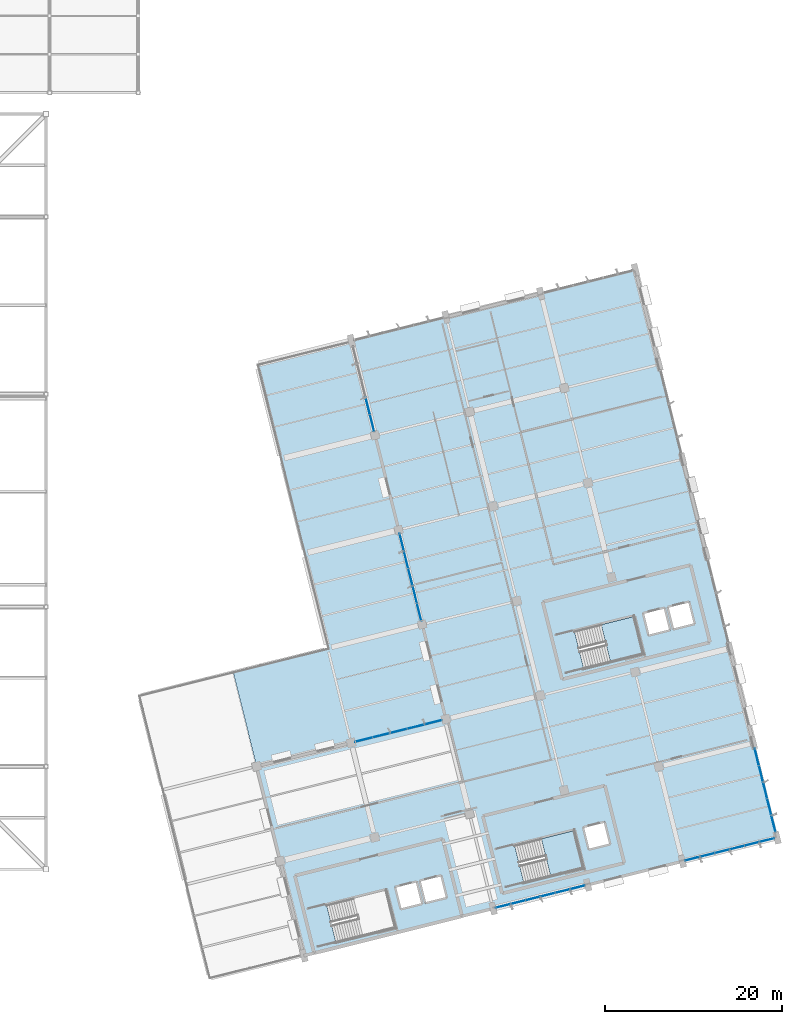
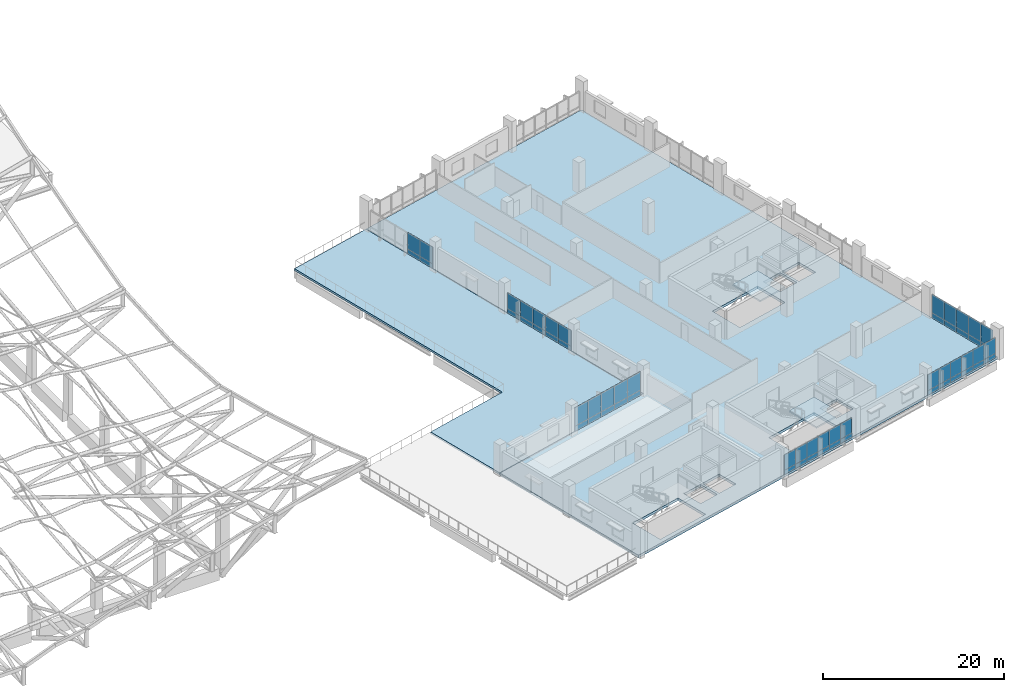
# One storey, part 57 of 75: 58 plates, 4 slabs, 8 elements without a shape of their own.
"""IFC4 building model written with IfcOpenShell, lengths in metres."""

from ifc_helpers import new_model, si_unit, direction, frame, origin, origin_2d, place, context, subcontext, project, spatial, polyline, rectangle, outline, extrude, material, layer, layer_set, type_object, element, aggregate, save


model = new_model("IFC4")

# Units and contexts
model_context = context("Model", 3, precision=1e-05, world=origin(), true_north=direction((0.0, 1.0)))
body_context = subcontext(model_context, "Body", "Model", "MODEL_VIEW")
ifc_project = project(units=[si_unit("LENGTHUNIT", "METRE"), si_unit("AREAUNIT", "SQUARE_METRE"), si_unit("VOLUMEUNIT", "CUBIC_METRE"), si_unit("PLANEANGLEUNIT", "RADIAN"), si_unit("MASSUNIT", "GRAM", prefix="KILO")], contexts=[model_context])

# Site, building, storey
site_placement = place(None, origin())
site = spatial("IfcSite", under=ifc_project, at=site_placement, CompositionType="ELEMENT")
building_placement = place(site_placement, origin())
building = spatial("IfcBuilding", under=site, at=building_placement, Name="Khorjan Park Terminus", CompositionType="ELEMENT")
storey_placement = place(building_placement, frame((0.0, 0.0, 16.2)))
storey = spatial("IfcBuildingStorey", under=building, at=storey_placement, Name="L03", CompositionType="ELEMENT", Elevation=16.2)

# Curtain wall, plates
ifc_material_1 = material(Name="Anodized Bronze Aluminium", Category="aluminium")
ifc_layer_1 = layer(ifc_material_1, 0.22)
ifc_layer_set_1 = layer_set([ifc_layer_1], Name="Anodized Bronze Aluminium")
curtain_wall_type = type_object("IfcCurtainWallType", Name="CW-OPS-B", PredefinedType="NOTDEFINED", material=ifc_layer_set_1)
curtain_wall_1_placement = place(storey_placement, origin())
curtain_wall_1 = element("IfcCurtainWall", 1, at=curtain_wall_1_placement, inside=storey, type_object=curtain_wall_type, Name="Unitized curtain wall CW-B (CW-V5-S-L03-B03)", PredefinedType="NOTDEFINED")
ifc_material_2 = material(Name="Low-E Solar Control Double Glazing", Category="glass")
ifc_layer_2 = layer(ifc_material_2, 0.032)
ifc_layer_set_2 = layer_set([ifc_layer_2], Name="Low-E Solar Control Double Glazing")
plate_type_1 = type_object("IfcPlateType", Name="GL-VIS-32", PredefinedType="CURTAIN_PANEL", material=ifc_layer_set_2)
plate_1_placement = place(storey_placement, frame((199.1762, 10.2718, 0.583), z_axis=(0.0, 0.0, 1.0), x_axis=(0.970294772494, 0.241925720978, 0.0)))
plate_1 = element("IfcPlate", 2, at=plate_1_placement, type_object=plate_type_1, Name="Curtain-wall panel VP-32 (CW-V5-S-L03-B03-0-2)", PredefinedType="CURTAIN_PANEL", context=body_context, shape_type="SweptSolid", body=[
    extrude(rectangle(XDim=1.7233, YDim=0.032, at=origin_2d()), origin(), (0.0, 0.0, 1.0), 2.077),
])
plate_2_placement = place(storey_placement, frame((200.8483, 10.6886, 0.583), z_axis=(0.0, 0.0, 1.0), x_axis=(0.970294772494, 0.241925720978, 0.0)))
plate_2 = element("IfcPlate", 3, at=plate_2_placement, type_object=plate_type_1, Name="Curtain-wall panel VP-32 (CW-V5-S-L03-B03-1-2)", PredefinedType="CURTAIN_PANEL", context=body_context, shape_type="SweptSolid", body=[
    extrude(rectangle(XDim=1.7233, YDim=0.032, at=origin_2d()), origin(), (0.0, 0.0, 1.0), 2.077),
])
plate_3_placement = place(storey_placement, frame((202.5205, 11.1056, 0.583), z_axis=(0.0, 0.0, 1.0), x_axis=(0.970294772494, 0.241925720978, 0.0)))
plate_3 = element("IfcPlate", 4, at=plate_3_placement, type_object=plate_type_1, Name="Curtain-wall panel VP-32 (CW-V5-S-L03-B03-2-2)", PredefinedType="CURTAIN_PANEL", context=body_context, shape_type="SweptSolid", body=[
    extrude(rectangle(XDim=1.7233, YDim=0.032, at=origin_2d()), origin(), (0.0, 0.0, 1.0), 2.077),
])
plate_4_placement = place(storey_placement, frame((204.1926, 11.5225, 0.583), z_axis=(0.0, 0.0, 1.0), x_axis=(0.970294772494, 0.241925720978, 0.0)))
plate_4 = element("IfcPlate", 5, at=plate_4_placement, type_object=plate_type_1, Name="Curtain-wall panel VP-32 (CW-V5-S-L03-B03-3-2)", PredefinedType="CURTAIN_PANEL", context=body_context, shape_type="SweptSolid", body=[
    extrude(rectangle(XDim=1.7233, YDim=0.032, at=origin_2d()), origin(), (0.0, 0.0, 1.0), 2.077),
])
plate_5_placement = place(storey_placement, frame((205.8647, 11.9395, 0.583), z_axis=(0.0, 0.0, 1.0), x_axis=(0.970294772494, 0.241925720978, 0.0)))
plate_5 = element("IfcPlate", 6, at=plate_5_placement, type_object=plate_type_1, Name="Curtain-wall panel VP-32 (CW-V5-S-L03-B03-4-2)", PredefinedType="CURTAIN_PANEL", context=body_context, shape_type="SweptSolid", body=[
    extrude(rectangle(XDim=1.7233, YDim=0.032, at=origin_2d()), origin(), (0.0, 0.0, 1.0), 2.077),
])
plate_6_placement = place(storey_placement, frame((207.5368, 12.3563, 0.583), z_axis=(0.0, 0.0, 1.0), x_axis=(0.970294772494, 0.241925720978, 0.0)))
plate_6 = element("IfcPlate", 7, at=plate_6_placement, type_object=plate_type_1, Name="Curtain-wall panel VP-32 (CW-V5-S-L03-B03-5-2)", PredefinedType="CURTAIN_PANEL", context=body_context, shape_type="SweptSolid", body=[
    extrude(rectangle(XDim=1.7233, YDim=0.032, at=origin_2d()), origin(), (0.0, 0.0, 1.0), 2.077),
])

curtain_wall_2_placement = place(storey_placement, origin())
curtain_wall_2 = element("IfcCurtainWall", 8, at=curtain_wall_2_placement, inside=storey, type_object=curtain_wall_type, Name="Unitized curtain wall CW-B (CW-V5-NW1-L03-B03)", PredefinedType="NOTDEFINED")
plate_7_placement = place(storey_placement, frame((187.7295, 51.2556, 0.597), z_axis=(0.0, 0.0, 1.0), x_axis=(0.241919922282, -0.970296218277, 0.0)))
plate_7 = element("IfcPlate", 9, at=plate_7_placement, type_object=plate_type_1, Name="Curtain-wall panel VP-32 (CW-V5-NW1-L03-B03-0-2)", PredefinedType="CURTAIN_PANEL", context=body_context, shape_type="SweptSolid", body=[
    extrude(rectangle(XDim=2.0179, YDim=0.032, at=origin_2d()), origin(), (0.0, 0.0, 1.0), 2.128),
])
plate_8_placement = place(storey_placement, frame((188.2177, 49.2976, 0.597), z_axis=(0.0, 0.0, 1.0), x_axis=(0.241919922282, -0.970296218277, 0.0)))
plate_8 = element("IfcPlate", 10, at=plate_8_placement, type_object=plate_type_1, Name="Curtain-wall panel VP-32 (CW-V5-NW1-L03-B03-1-2)", PredefinedType="CURTAIN_PANEL", context=body_context, shape_type="SweptSolid", body=[
    extrude(rectangle(XDim=2.0179, YDim=0.032, at=origin_2d()), origin(), (0.0, 0.0, 1.0), 2.128),
])
plate_9_placement = place(storey_placement, frame((188.7058, 47.3396, 0.597), z_axis=(0.0, 0.0, 1.0), x_axis=(0.241919922282, -0.970296218277, 0.0)))
plate_9 = element("IfcPlate", 11, at=plate_9_placement, type_object=plate_type_1, Name="Curtain-wall panel VP-32 (CW-V5-NW1-L03-B03-2-2)", PredefinedType="CURTAIN_PANEL", context=body_context, shape_type="SweptSolid", body=[
    extrude(rectangle(XDim=2.0179, YDim=0.032, at=origin_2d()), origin(), (0.0, 0.0, 1.0), 2.128),
])
plate_10_placement = place(storey_placement, frame((189.194, 45.3816, 0.597), z_axis=(0.0, 0.0, 1.0), x_axis=(0.241919922282, -0.970296218277, 0.0)))
plate_10 = element("IfcPlate", 12, at=plate_10_placement, type_object=plate_type_1, Name="Curtain-wall panel VP-32 (CW-V5-NW1-L03-B03-3-2)", PredefinedType="CURTAIN_PANEL", context=body_context, shape_type="SweptSolid", body=[
    extrude(rectangle(XDim=2.0179, YDim=0.032, at=origin_2d()), origin(), (0.0, 0.0, 1.0), 2.128),
])
plate_11_placement = place(storey_placement, frame((189.6822, 43.4236, 0.597), z_axis=(0.0, 0.0, 1.0), x_axis=(0.241919922282, -0.970296218277, 0.0)))
plate_11 = element("IfcPlate", 13, at=plate_11_placement, type_object=plate_type_1, Name="Curtain-wall panel VP-32 (CW-V5-NW1-L03-B03-4-2)", PredefinedType="CURTAIN_PANEL", context=body_context, shape_type="SweptSolid", body=[
    extrude(rectangle(XDim=2.0179, YDim=0.032, at=origin_2d()), origin(), (0.0, 0.0, 1.0), 2.128),
])

curtain_wall_3_placement = place(storey_placement, origin())
curtain_wall_3 = element("IfcCurtainWall", 14, at=curtain_wall_3_placement, inside=storey, type_object=curtain_wall_type, Name="Unitized curtain wall CW-B (CW-V5-S-L03-B05)", PredefinedType="NOTDEFINED")
ifc_material_3 = material(Name="Acoustic Laminated Solar Glazing", Category="glass")
ifc_layer_3 = layer(ifc_material_3, 0.036)
ifc_layer_set_3 = layer_set([ifc_layer_3], Name="Acoustic Laminated Solar Glazing")
plate_type_2 = type_object("IfcPlateType", Name="GL-VIS-36", PredefinedType="CURTAIN_PANEL", material=ifc_layer_set_3)
plate_12_placement = place(storey_placement, frame((220.5224, 15.5939, 0.602), z_axis=(0.0, 0.0, 1.0), x_axis=(0.970296464407, 0.241918935098, 0.0)))
plate_12 = element("IfcPlate", 15, at=plate_12_placement, type_object=plate_type_2, Name="Curtain-wall panel VP-36 (CW-V5-S-L03-B05-0-2)", PredefinedType="CURTAIN_PANEL", context=body_context, shape_type="SweptSolid", body=[
    extrude(rectangle(XDim=1.7234, YDim=0.036, at=origin_2d()), origin(), (0.0, 0.0, 1.0), 2.143),
])
plate_13_placement = place(storey_placement, frame((222.1946, 16.0109, 0.602), z_axis=(0.0, 0.0, 1.0), x_axis=(0.970296464407, 0.241918935098, 0.0)))
plate_13 = element("IfcPlate", 16, at=plate_13_placement, type_object=plate_type_2, Name="Curtain-wall panel VP-36 (CW-V5-S-L03-B05-1-2)", PredefinedType="CURTAIN_PANEL", context=body_context, shape_type="SweptSolid", body=[
    extrude(rectangle(XDim=1.7234, YDim=0.036, at=origin_2d()), origin(), (0.0, 0.0, 1.0), 2.143),
])
plate_14_placement = place(storey_placement, frame((223.8669, 16.4278, 0.602), z_axis=(0.0, 0.0, 1.0), x_axis=(0.970296464407, 0.241918935098, 0.0)))
plate_14 = element("IfcPlate", 17, at=plate_14_placement, type_object=plate_type_2, Name="Curtain-wall panel VP-36 (CW-V5-S-L03-B05-2-2)", PredefinedType="CURTAIN_PANEL", context=body_context, shape_type="SweptSolid", body=[
    extrude(rectangle(XDim=1.7234, YDim=0.036, at=origin_2d()), origin(), (0.0, 0.0, 1.0), 2.143),
])
plate_15_placement = place(storey_placement, frame((225.5392, 16.8447, 0.602), z_axis=(0.0, 0.0, 1.0), x_axis=(0.970296464407, 0.241918935098, 0.0)))
plate_15 = element("IfcPlate", 18, at=plate_15_placement, type_object=plate_type_2, Name="Curtain-wall panel VP-36 (CW-V5-S-L03-B05-3-2)", PredefinedType="CURTAIN_PANEL", context=body_context, shape_type="SweptSolid", body=[
    extrude(rectangle(XDim=1.7234, YDim=0.036, at=origin_2d()), origin(), (0.0, 0.0, 1.0), 2.143),
])
plate_16_placement = place(storey_placement, frame((227.2115, 17.2617, 0.602), z_axis=(0.0, 0.0, 1.0), x_axis=(0.970296464407, 0.241918935098, 0.0)))
plate_16 = element("IfcPlate", 19, at=plate_16_placement, type_object=plate_type_2, Name="Curtain-wall panel VP-36 (CW-V5-S-L03-B05-4-2)", PredefinedType="CURTAIN_PANEL", context=body_context, shape_type="SweptSolid", body=[
    extrude(rectangle(XDim=1.7234, YDim=0.036, at=origin_2d()), origin(), (0.0, 0.0, 1.0), 2.143),
])
plate_17_placement = place(storey_placement, frame((228.8837, 17.6786, 0.602), z_axis=(0.0, 0.0, 1.0), x_axis=(0.970296464407, 0.241918935098, 0.0)))
plate_17 = element("IfcPlate", 20, at=plate_17_placement, type_object=plate_type_2, Name="Curtain-wall panel VP-36 (CW-V5-S-L03-B05-5-2)", PredefinedType="CURTAIN_PANEL", context=body_context, shape_type="SweptSolid", body=[
    extrude(rectangle(XDim=1.7234, YDim=0.036, at=origin_2d()), origin(), (0.0, 0.0, 1.0), 2.143),
])

curtain_wall_4_placement = place(storey_placement, origin())
curtain_wall_4 = element("IfcCurtainWall", 21, at=curtain_wall_4_placement, inside=storey, type_object=curtain_wall_type, Name="Unitized curtain wall CW-B (CW-V5-E-L03-B01)", PredefinedType="NOTDEFINED")
plate_18_placement = place(storey_placement, frame((229.6418, 19.562, 0.703), z_axis=(0.0, 0.0, 1.0), x_axis=(-0.241920488516, 0.9702960771, 0.0)))
plate_18 = element("IfcPlate", 22, at=plate_18_placement, type_object=plate_type_2, Name="Curtain-wall panel VP-36 (CW-V5-E-L03-B01-0-2)", PredefinedType="CURTAIN_PANEL", context=body_context, shape_type="SweptSolid", body=[
    extrude(rectangle(XDim=1.928, YDim=0.036, at=origin_2d()), origin(), (0.0, 0.0, 1.0), 2.502),
])
plate_19_placement = place(storey_placement, frame((229.1754, 21.4327, 0.703), z_axis=(0.0, 0.0, 1.0), x_axis=(-0.241920488516, 0.9702960771, 0.0)))
plate_19 = element("IfcPlate", 23, at=plate_19_placement, type_object=plate_type_2, Name="Curtain-wall panel VP-36 (CW-V5-E-L03-B01-1-2)", PredefinedType="CURTAIN_PANEL", context=body_context, shape_type="SweptSolid", body=[
    extrude(rectangle(XDim=1.928, YDim=0.036, at=origin_2d()), origin(), (0.0, 0.0, 1.0), 2.502),
])
plate_20_placement = place(storey_placement, frame((228.709, 23.3035, 0.703), z_axis=(0.0, 0.0, 1.0), x_axis=(-0.241920488516, 0.9702960771, 0.0)))
plate_20 = element("IfcPlate", 24, at=plate_20_placement, type_object=plate_type_2, Name="Curtain-wall panel VP-36 (CW-V5-E-L03-B01-2-2)", PredefinedType="CURTAIN_PANEL", context=body_context, shape_type="SweptSolid", body=[
    extrude(rectangle(XDim=1.928, YDim=0.036, at=origin_2d()), origin(), (0.0, 0.0, 1.0), 2.502),
])
plate_21_placement = place(storey_placement, frame((228.2425, 25.1743, 0.703), z_axis=(0.0, 0.0, 1.0), x_axis=(-0.241920488516, 0.9702960771, 0.0)))
plate_21 = element("IfcPlate", 25, at=plate_21_placement, type_object=plate_type_2, Name="Curtain-wall panel VP-36 (CW-V5-E-L03-B01-3-2)", PredefinedType="CURTAIN_PANEL", context=body_context, shape_type="SweptSolid", body=[
    extrude(rectangle(XDim=1.928, YDim=0.036, at=origin_2d()), origin(), (0.0, 0.0, 1.0), 2.502),
])
plate_22_placement = place(storey_placement, frame((227.7761, 27.045, 0.703), z_axis=(0.0, 0.0, 1.0), x_axis=(-0.241920488516, 0.9702960771, 0.0)))
plate_22 = element("IfcPlate", 26, at=plate_22_placement, type_object=plate_type_2, Name="Curtain-wall panel VP-36 (CW-V5-E-L03-B01-4-2)", PredefinedType="CURTAIN_PANEL", context=body_context, shape_type="SweptSolid", body=[
    extrude(rectangle(XDim=1.928, YDim=0.036, at=origin_2d()), origin(), (0.0, 0.0, 1.0), 2.502),
])

curtain_wall_5_placement = place(storey_placement, origin())
curtain_wall_5 = element("IfcCurtainWall", 27, at=curtain_wall_5_placement, inside=storey, type_object=curtain_wall_type, Name="Unitized curtain wall CW-B (CW-V5-NW1-L03-B01)", PredefinedType="NOTDEFINED")
plate_23_placement = place(storey_placement, frame((183.8879, 66.663, 0.63), z_axis=(0.0, 0.0, 1.0), x_axis=(0.241922578481, -0.970295556014, 0.0)))
plate_23 = element("IfcPlate", 28, at=plate_23_placement, type_object=plate_type_2, Name="Curtain-wall panel VP-36 (CW-V5-NW1-L03-B01-3-2)", PredefinedType="CURTAIN_PANEL", context=body_context, shape_type="SweptSolid", body=[
    extrude(rectangle(XDim=1.9729, YDim=0.036, at=origin_2d()), origin(), (0.0, 0.0, 1.0), 2.245),
])
plate_24_placement = place(storey_placement, frame((184.3653, 64.7486, 0.63), z_axis=(0.0, 0.0, 1.0), x_axis=(0.241922578481, -0.970295556014, 0.0)))
plate_24 = element("IfcPlate", 29, at=plate_24_placement, type_object=plate_type_2, Name="Curtain-wall panel VP-36 (CW-V5-NW1-L03-B01-4-2)", PredefinedType="CURTAIN_PANEL", context=body_context, shape_type="SweptSolid", body=[
    extrude(rectangle(XDim=1.9729, YDim=0.036, at=origin_2d()), origin(), (0.0, 0.0, 1.0), 2.245),
])

curtain_wall_6_placement = place(storey_placement, origin())
curtain_wall_6 = element("IfcCurtainWall", 30, at=curtain_wall_6_placement, inside=storey, type_object=curtain_wall_type, Name="Unitized curtain wall CW-B (CW-V5-NW2-L03-B01)", PredefinedType="NOTDEFINED")
plate_25_placement = place(storey_placement, frame((191.2571, 30.9708, 0.703), z_axis=(0.0, 0.0, 1.0), x_axis=(-0.970296398227, -0.241919200535, 0.0)))
plate_25 = element("IfcPlate", 31, at=plate_25_placement, type_object=plate_type_2, Name="Curtain-wall panel VP-36 (CW-V5-NW2-L03-B01-0-2)", PredefinedType="CURTAIN_PANEL", context=body_context, shape_type="SweptSolid", body=[
    extrude(rectangle(XDim=2.0079, YDim=0.036, at=origin_2d()), origin(), (0.0, 0.0, 1.0), 2.502),
])
plate_26_placement = place(storey_placement, frame((189.3089, 30.4851, 0.703), z_axis=(0.0, 0.0, 1.0), x_axis=(-0.970296398227, -0.241919200535, 0.0)))
plate_26 = element("IfcPlate", 32, at=plate_26_placement, type_object=plate_type_2, Name="Curtain-wall panel VP-36 (CW-V5-NW2-L03-B01-1-2)", PredefinedType="CURTAIN_PANEL", context=body_context, shape_type="SweptSolid", body=[
    extrude(rectangle(XDim=2.0079, YDim=0.036, at=origin_2d()), origin(), (0.0, 0.0, 1.0), 2.502),
])
plate_27_placement = place(storey_placement, frame((187.3605, 29.9993, 0.703), z_axis=(0.0, 0.0, 1.0), x_axis=(-0.970296398227, -0.241919200535, 0.0)))
plate_27 = element("IfcPlate", 33, at=plate_27_placement, type_object=plate_type_2, Name="Curtain-wall panel VP-36 (CW-V5-NW2-L03-B01-2-2)", PredefinedType="CURTAIN_PANEL", context=body_context, shape_type="SweptSolid", body=[
    extrude(rectangle(XDim=2.0079, YDim=0.036, at=origin_2d()), origin(), (0.0, 0.0, 1.0), 2.502),
])
plate_28_placement = place(storey_placement, frame((185.4123, 29.5136, 0.703), z_axis=(0.0, 0.0, 1.0), x_axis=(-0.970296398227, -0.241919200535, 0.0)))
plate_28 = element("IfcPlate", 34, at=plate_28_placement, type_object=plate_type_2, Name="Curtain-wall panel VP-36 (CW-V5-NW2-L03-B01-3-2)", PredefinedType="CURTAIN_PANEL", context=body_context, shape_type="SweptSolid", body=[
    extrude(rectangle(XDim=2.0079, YDim=0.036, at=origin_2d()), origin(), (0.0, 0.0, 1.0), 2.502),
])
plate_29_placement = place(storey_placement, frame((183.464, 29.0278, 0.703), z_axis=(0.0, 0.0, 1.0), x_axis=(-0.970296398227, -0.241919200535, 0.0)))
plate_29 = element("IfcPlate", 35, at=plate_29_placement, type_object=plate_type_2, Name="Curtain-wall panel VP-36 (CW-V5-NW2-L03-B01-4-2)", PredefinedType="CURTAIN_PANEL", context=body_context, shape_type="SweptSolid", body=[
    extrude(rectangle(XDim=2.0079, YDim=0.036, at=origin_2d()), origin(), (0.0, 0.0, 1.0), 2.502),
])

# Slab
ifc_material_4 = material(Name="Concrete C40/50", Category="concrete")
ifc_layer_4 = layer(ifc_material_4, 0.35)
ifc_layer_set_4 = layer_set([ifc_layer_4], Name="Concrete C40/50")
slab_type_1 = type_object("IfcSlabType", Name="SL-FLR-350", PredefinedType="FLOOR", material=ifc_layer_set_4)
slab_1_placement = place(storey_placement, frame((0.0, 0.0, -0.35)))
element("IfcSlab", 36, at=slab_1_placement, inside=storey, type_object=slab_type_1, Name="Structural floor slab FS-35 (L03-V5-IN)", PredefinedType="FLOOR", context=body_context, shape_type="SweptSolid", body=[
    extrude(outline(polyline([(171.351, 26.0076), (192.6975, 31.3299), (182.0529, 74.0229), (214.0727, 82.0064), (230.0395, 17.9668), (176.6733, 4.6611), (171.351, 26.0076)]), holes=[polyline([(185.9646, 12.038), (179.2453, 10.3627), (180.3001, 6.1322), (187.0194, 7.8075), (185.9646, 12.038)]), polyline([(189.4141, 13.0423), (186.9495, 12.4279), (187.5882, 9.8663), (190.0528, 10.4808), (189.4141, 13.0423)]), polyline([(192.1891, 13.7342), (189.7246, 13.1198), (190.3633, 10.5582), (192.8278, 11.1727), (192.1891, 13.7342)]), polyline([(207.1665, 18.7671), (200.4472, 17.0918), (201.502, 12.8613), (208.2213, 14.5366), (207.1665, 18.7671)]), polyline([(210.616, 19.7714), (208.1514, 19.157), (208.7901, 16.5954), (211.2547, 17.2099), (210.616, 19.7714)]), polyline([(213.9243, 42.9194), (207.205, 41.2441), (208.2598, 37.0136), (214.9791, 38.6889), (213.9243, 42.9194)]), polyline([(217.3738, 43.9237), (214.9092, 43.3093), (215.5479, 40.7477), (218.0125, 41.3622), (217.3738, 43.9237)]), polyline([(220.1488, 44.6156), (217.6843, 44.0012), (218.323, 41.4396), (220.7875, 42.0541), (220.1488, 44.6156)])]), origin(), (0.0, 0.0, 1.0), 0.35),
])

# Stair, slab
stair_type = type_object("IfcStairType", Name="STR-CORE-200", PredefinedType="HALF_TURN_STAIR", material=ifc_material_4)
stair_1_placement = place(storey_placement, origin())
stair_1 = element("IfcStair", 37, at=stair_1_placement, inside=storey, type_object=stair_type, Name="L03 Operations North-East Firefighting Core exit stair ST-04", PredefinedType="HALF_TURN_STAIR")
ifc_layer_5 = layer(ifc_material_4, 0.2)
ifc_layer_set_5 = layer_set([ifc_layer_5], Name="Concrete C40/50")
slab_type_2 = type_object("IfcSlabType", Name="SL-LND-200", PredefinedType="LANDING", material=ifc_layer_set_5)
slab_2_placement = place(storey_placement, frame((0.0, 0.0, 1.9)))
slab_2 = element("IfcSlab", 38, at=slab_2_placement, type_object=slab_type_2, Name="ST-04 landing 1", PredefinedType="LANDING", context=body_context, shape_type="SweptSolid", body=[
    extrude(outline(polyline([(211.2725, 37.7648), (214.9791, 38.6889), (213.9243, 42.9194), (210.2178, 41.9952), (211.2725, 37.7648)])), origin(), (0.0, 0.0, 1.0), 0.2),
])
aggregate(stair_1, [slab_2])

stair_2_placement = place(storey_placement, origin())
stair_2 = element("IfcStair", 39, at=stair_2_placement, inside=storey, type_object=stair_type, Name="L03 Operations Central Command Core exit stair ST-05", PredefinedType="HALF_TURN_STAIR")
slab_3_placement = place(storey_placement, frame((0.0, 0.0, 1.9)))
slab_3 = element("IfcSlab", 40, at=slab_3_placement, type_object=slab_type_2, Name="ST-05 landing 1", PredefinedType="LANDING", context=body_context, shape_type="SweptSolid", body=[
    extrude(outline(polyline([(204.5147, 13.6125), (208.2213, 14.5366), (207.1665, 18.7671), (203.46, 17.8429), (204.5147, 13.6125)])), origin(), (0.0, 0.0, 1.0), 0.2),
])
aggregate(stair_2, [slab_3])

# Slab
ifc_layer_6 = layer(ifc_material_4, 0.27)
ifc_layer_set_6 = layer_set([ifc_layer_6], Name="Concrete C40/50")
slab_type_3 = type_object("IfcSlabType", Name="SL-TER-270", PredefinedType="ROOF", material=ifc_layer_set_6)
slab_4_placement = place(storey_placement, frame((0.0, 0.0, -0.27)))
element("IfcSlab", 41, at=slab_4_placement, inside=storey, type_object=slab_type_3, Name="External terrace slab TS-27 (L03-TER-NW)", PredefinedType="ROOF", context=body_context, shape_type="SweptSolid", body=[
    extrude(outline(polyline([(171.3413, 26.0465), (192.649, 31.3591), (182.0141, 74.0133), (171.3797, 71.3618), (179.3631, 39.342), (168.6898, 36.6809), (171.3413, 26.0465)])), origin(), (0.0, 0.0, 1.0), 0.27),
])

# Plate
ifc_material_5 = material(Name="Insulated Bronze-Composite Spandrel Panel")
ifc_layer_7 = layer(ifc_material_5, 0.055)
ifc_layer_set_7 = layer_set([ifc_layer_7], Name="Insulated Bronze-Composite Spandrel Panel")
plate_type_3 = type_object("IfcPlateType", Name="SP-AL-55", PredefinedType="CURTAIN_PANEL", material=ifc_layer_set_7)
plate_30_placement = place(storey_placement, frame((199.1762, 10.2718, -0.01), z_axis=(0.0, 0.0, 1.0), x_axis=(0.970294772494, 0.241925720978, 0.0)))
plate_30 = element("IfcPlate", 42, at=plate_30_placement, type_object=plate_type_3, Name="Curtain-wall panel SP-A55 (CW-V5-S-L03-B03-0-1)", PredefinedType="CURTAIN_PANEL", context=body_context, shape_type="SweptSolid", body=[
    extrude(rectangle(XDim=1.7233, YDim=0.055, at=origin_2d()), origin(), (0.0, 0.0, 1.0), 0.593),
])

plate_31_placement = place(storey_placement, frame((200.8483, 10.6886, -0.01), z_axis=(0.0, 0.0, 1.0), x_axis=(0.970294772494, 0.241925720978, 0.0)))
plate_31 = element("IfcPlate", 43, at=plate_31_placement, type_object=plate_type_3, Name="Curtain-wall panel SP-A55 (CW-V5-S-L03-B03-1-1)", PredefinedType="CURTAIN_PANEL", context=body_context, shape_type="SweptSolid", body=[
    extrude(rectangle(XDim=1.7233, YDim=0.055, at=origin_2d()), origin(), (0.0, 0.0, 1.0), 0.593),
])

plate_32_placement = place(storey_placement, frame((202.5205, 11.1056, -0.01), z_axis=(0.0, 0.0, 1.0), x_axis=(0.970294772494, 0.241925720978, 0.0)))
plate_32 = element("IfcPlate", 44, at=plate_32_placement, type_object=plate_type_3, Name="Curtain-wall panel SP-A55 (CW-V5-S-L03-B03-2-1)", PredefinedType="CURTAIN_PANEL", context=body_context, shape_type="SweptSolid", body=[
    extrude(rectangle(XDim=1.7233, YDim=0.055, at=origin_2d()), origin(), (0.0, 0.0, 1.0), 0.593),
])

plate_33_placement = place(storey_placement, frame((204.1926, 11.5225, -0.01), z_axis=(0.0, 0.0, 1.0), x_axis=(0.970294772494, 0.241925720978, 0.0)))
plate_33 = element("IfcPlate", 45, at=plate_33_placement, type_object=plate_type_3, Name="Curtain-wall panel SP-A55 (CW-V5-S-L03-B03-3-1)", PredefinedType="CURTAIN_PANEL", context=body_context, shape_type="SweptSolid", body=[
    extrude(rectangle(XDim=1.7233, YDim=0.055, at=origin_2d()), origin(), (0.0, 0.0, 1.0), 0.593),
])

plate_34_placement = place(storey_placement, frame((205.8647, 11.9395, -0.01), z_axis=(0.0, 0.0, 1.0), x_axis=(0.970294772494, 0.241925720978, 0.0)))
plate_34 = element("IfcPlate", 46, at=plate_34_placement, type_object=plate_type_3, Name="Curtain-wall panel SP-A55 (CW-V5-S-L03-B03-4-1)", PredefinedType="CURTAIN_PANEL", context=body_context, shape_type="SweptSolid", body=[
    extrude(rectangle(XDim=1.7233, YDim=0.055, at=origin_2d()), origin(), (0.0, 0.0, 1.0), 0.593),
])

plate_35_placement = place(storey_placement, frame((207.5368, 12.3563, -0.01), z_axis=(0.0, 0.0, 1.0), x_axis=(0.970294772494, 0.241925720978, 0.0)))
plate_35 = element("IfcPlate", 47, at=plate_35_placement, type_object=plate_type_3, Name="Curtain-wall panel SP-A55 (CW-V5-S-L03-B03-5-1)", PredefinedType="CURTAIN_PANEL", context=body_context, shape_type="SweptSolid", body=[
    extrude(rectangle(XDim=1.7233, YDim=0.055, at=origin_2d()), origin(), (0.0, 0.0, 1.0), 0.593),
])

aggregate(curtain_wall_1, [plate_30, plate_1, plate_31, plate_2, plate_32, plate_3, plate_33, plate_4, plate_34, plate_5, plate_35, plate_6])

plate_36_placement = place(storey_placement, frame((220.5224, 15.5939, -0.01), z_axis=(0.0, 0.0, 1.0), x_axis=(0.970296464407, 0.241918935098, 0.0)))
plate_36 = element("IfcPlate", 48, at=plate_36_placement, type_object=plate_type_3, Name="Curtain-wall panel SP-A55 (CW-V5-S-L03-B05-0-1)", PredefinedType="CURTAIN_PANEL", context=body_context, shape_type="SweptSolid", body=[
    extrude(rectangle(XDim=1.7234, YDim=0.055, at=origin_2d()), origin(), (0.0, 0.0, 1.0), 0.612),
])

plate_37_placement = place(storey_placement, frame((222.1946, 16.0109, -0.01), z_axis=(0.0, 0.0, 1.0), x_axis=(0.970296464407, 0.241918935098, 0.0)))
plate_37 = element("IfcPlate", 49, at=plate_37_placement, type_object=plate_type_3, Name="Curtain-wall panel SP-A55 (CW-V5-S-L03-B05-1-1)", PredefinedType="CURTAIN_PANEL", context=body_context, shape_type="SweptSolid", body=[
    extrude(rectangle(XDim=1.7234, YDim=0.055, at=origin_2d()), origin(), (0.0, 0.0, 1.0), 0.612),
])

plate_38_placement = place(storey_placement, frame((223.8669, 16.4278, -0.01), z_axis=(0.0, 0.0, 1.0), x_axis=(0.970296464407, 0.241918935098, 0.0)))
plate_38 = element("IfcPlate", 50, at=plate_38_placement, type_object=plate_type_3, Name="Curtain-wall panel SP-A55 (CW-V5-S-L03-B05-2-1)", PredefinedType="CURTAIN_PANEL", context=body_context, shape_type="SweptSolid", body=[
    extrude(rectangle(XDim=1.7234, YDim=0.055, at=origin_2d()), origin(), (0.0, 0.0, 1.0), 0.612),
])

plate_39_placement = place(storey_placement, frame((225.5392, 16.8447, -0.01), z_axis=(0.0, 0.0, 1.0), x_axis=(0.970296464407, 0.241918935098, 0.0)))
plate_39 = element("IfcPlate", 51, at=plate_39_placement, type_object=plate_type_3, Name="Curtain-wall panel SP-A55 (CW-V5-S-L03-B05-3-1)", PredefinedType="CURTAIN_PANEL", context=body_context, shape_type="SweptSolid", body=[
    extrude(rectangle(XDim=1.7234, YDim=0.055, at=origin_2d()), origin(), (0.0, 0.0, 1.0), 0.612),
])

plate_40_placement = place(storey_placement, frame((227.2115, 17.2617, -0.01), z_axis=(0.0, 0.0, 1.0), x_axis=(0.970296464407, 0.241918935098, 0.0)))
plate_40 = element("IfcPlate", 52, at=plate_40_placement, type_object=plate_type_3, Name="Curtain-wall panel SP-A55 (CW-V5-S-L03-B05-4-1)", PredefinedType="CURTAIN_PANEL", context=body_context, shape_type="SweptSolid", body=[
    extrude(rectangle(XDim=1.7234, YDim=0.055, at=origin_2d()), origin(), (0.0, 0.0, 1.0), 0.612),
])

plate_41_placement = place(storey_placement, frame((228.8837, 17.6786, -0.01), z_axis=(0.0, 0.0, 1.0), x_axis=(0.970296464407, 0.241918935098, 0.0)))
plate_41 = element("IfcPlate", 53, at=plate_41_placement, type_object=plate_type_3, Name="Curtain-wall panel SP-A55 (CW-V5-S-L03-B05-5-1)", PredefinedType="CURTAIN_PANEL", context=body_context, shape_type="SweptSolid", body=[
    extrude(rectangle(XDim=1.7234, YDim=0.055, at=origin_2d()), origin(), (0.0, 0.0, 1.0), 0.612),
])

aggregate(curtain_wall_3, [plate_36, plate_12, plate_37, plate_13, plate_38, plate_14, plate_39, plate_15, plate_40, plate_16, plate_41, plate_17])

plate_42_placement = place(storey_placement, frame((229.6418, 19.562, -0.01), z_axis=(0.0, 0.0, 1.0), x_axis=(-0.241920488516, 0.9702960771, 0.0)))
plate_42 = element("IfcPlate", 54, at=plate_42_placement, type_object=plate_type_3, Name="Curtain-wall panel SP-A55 (CW-V5-E-L03-B01-0-1)", PredefinedType="CURTAIN_PANEL", context=body_context, shape_type="SweptSolid", body=[
    extrude(rectangle(XDim=1.928, YDim=0.055, at=origin_2d()), origin(), (0.0, 0.0, 1.0), 0.713),
])

plate_43_placement = place(storey_placement, frame((229.1754, 21.4327, -0.01), z_axis=(0.0, 0.0, 1.0), x_axis=(-0.241920488516, 0.9702960771, 0.0)))
plate_43 = element("IfcPlate", 55, at=plate_43_placement, type_object=plate_type_3, Name="Curtain-wall panel SP-A55 (CW-V5-E-L03-B01-1-1)", PredefinedType="CURTAIN_PANEL", context=body_context, shape_type="SweptSolid", body=[
    extrude(rectangle(XDim=1.928, YDim=0.055, at=origin_2d()), origin(), (0.0, 0.0, 1.0), 0.713),
])

plate_44_placement = place(storey_placement, frame((228.709, 23.3035, -0.01), z_axis=(0.0, 0.0, 1.0), x_axis=(-0.241920488516, 0.9702960771, 0.0)))
plate_44 = element("IfcPlate", 56, at=plate_44_placement, type_object=plate_type_3, Name="Curtain-wall panel SP-A55 (CW-V5-E-L03-B01-2-1)", PredefinedType="CURTAIN_PANEL", context=body_context, shape_type="SweptSolid", body=[
    extrude(rectangle(XDim=1.928, YDim=0.055, at=origin_2d()), origin(), (0.0, 0.0, 1.0), 0.713),
])

plate_45_placement = place(storey_placement, frame((228.2425, 25.1743, -0.01), z_axis=(0.0, 0.0, 1.0), x_axis=(-0.241920488516, 0.9702960771, 0.0)))
plate_45 = element("IfcPlate", 57, at=plate_45_placement, type_object=plate_type_3, Name="Curtain-wall panel SP-A55 (CW-V5-E-L03-B01-3-1)", PredefinedType="CURTAIN_PANEL", context=body_context, shape_type="SweptSolid", body=[
    extrude(rectangle(XDim=1.928, YDim=0.055, at=origin_2d()), origin(), (0.0, 0.0, 1.0), 0.713),
])

plate_46_placement = place(storey_placement, frame((227.7761, 27.045, -0.01), z_axis=(0.0, 0.0, 1.0), x_axis=(-0.241920488516, 0.9702960771, 0.0)))
plate_46 = element("IfcPlate", 58, at=plate_46_placement, type_object=plate_type_3, Name="Curtain-wall panel SP-A55 (CW-V5-E-L03-B01-4-1)", PredefinedType="CURTAIN_PANEL", context=body_context, shape_type="SweptSolid", body=[
    extrude(rectangle(XDim=1.928, YDim=0.055, at=origin_2d()), origin(), (0.0, 0.0, 1.0), 0.713),
])

aggregate(curtain_wall_4, [plate_42, plate_18, plate_43, plate_19, plate_44, plate_20, plate_45, plate_21, plate_46, plate_22])

plate_47_placement = place(storey_placement, frame((183.8879, 66.663, -0.01), z_axis=(0.0, 0.0, 1.0), x_axis=(0.241922578481, -0.970295556014, 0.0)))
plate_47 = element("IfcPlate", 59, at=plate_47_placement, type_object=plate_type_3, Name="Curtain-wall panel SP-A55 (CW-V5-NW1-L03-B01-3-1)", PredefinedType="CURTAIN_PANEL", context=body_context, shape_type="SweptSolid", body=[
    extrude(rectangle(XDim=1.9729, YDim=0.055, at=origin_2d()), origin(), (0.0, 0.0, 1.0), 0.64),
])

plate_48_placement = place(storey_placement, frame((184.3653, 64.7486, -0.01), z_axis=(0.0, 0.0, 1.0), x_axis=(0.241922578481, -0.970295556014, 0.0)))
plate_48 = element("IfcPlate", 60, at=plate_48_placement, type_object=plate_type_3, Name="Curtain-wall panel SP-A55 (CW-V5-NW1-L03-B01-4-1)", PredefinedType="CURTAIN_PANEL", context=body_context, shape_type="SweptSolid", body=[
    extrude(rectangle(XDim=1.9729, YDim=0.055, at=origin_2d()), origin(), (0.0, 0.0, 1.0), 0.64),
])

aggregate(curtain_wall_5, [plate_47, plate_23, plate_48, plate_24])

plate_49_placement = place(storey_placement, frame((187.7295, 51.2556, -0.01), z_axis=(0.0, 0.0, 1.0), x_axis=(0.241919922282, -0.970296218277, 0.0)))
plate_49 = element("IfcPlate", 61, at=plate_49_placement, type_object=plate_type_3, Name="Curtain-wall panel SP-A55 (CW-V5-NW1-L03-B03-0-1)", PredefinedType="CURTAIN_PANEL", context=body_context, shape_type="SweptSolid", body=[
    extrude(rectangle(XDim=2.0179, YDim=0.055, at=origin_2d()), origin(), (0.0, 0.0, 1.0), 0.607),
])

plate_50_placement = place(storey_placement, frame((188.2177, 49.2976, -0.01), z_axis=(0.0, 0.0, 1.0), x_axis=(0.241919922282, -0.970296218277, 0.0)))
plate_50 = element("IfcPlate", 62, at=plate_50_placement, type_object=plate_type_3, Name="Curtain-wall panel SP-A55 (CW-V5-NW1-L03-B03-1-1)", PredefinedType="CURTAIN_PANEL", context=body_context, shape_type="SweptSolid", body=[
    extrude(rectangle(XDim=2.0179, YDim=0.055, at=origin_2d()), origin(), (0.0, 0.0, 1.0), 0.607),
])

plate_51_placement = place(storey_placement, frame((188.7058, 47.3396, -0.01), z_axis=(0.0, 0.0, 1.0), x_axis=(0.241919922282, -0.970296218277, 0.0)))
plate_51 = element("IfcPlate", 63, at=plate_51_placement, type_object=plate_type_3, Name="Curtain-wall panel SP-A55 (CW-V5-NW1-L03-B03-2-1)", PredefinedType="CURTAIN_PANEL", context=body_context, shape_type="SweptSolid", body=[
    extrude(rectangle(XDim=2.0179, YDim=0.055, at=origin_2d()), origin(), (0.0, 0.0, 1.0), 0.607),
])

plate_52_placement = place(storey_placement, frame((189.194, 45.3816, -0.01), z_axis=(0.0, 0.0, 1.0), x_axis=(0.241919922282, -0.970296218277, 0.0)))
plate_52 = element("IfcPlate", 64, at=plate_52_placement, type_object=plate_type_3, Name="Curtain-wall panel SP-A55 (CW-V5-NW1-L03-B03-3-1)", PredefinedType="CURTAIN_PANEL", context=body_context, shape_type="SweptSolid", body=[
    extrude(rectangle(XDim=2.0179, YDim=0.055, at=origin_2d()), origin(), (0.0, 0.0, 1.0), 0.607),
])

plate_53_placement = place(storey_placement, frame((189.6822, 43.4236, -0.01), z_axis=(0.0, 0.0, 1.0), x_axis=(0.241919922282, -0.970296218277, 0.0)))
plate_53 = element("IfcPlate", 65, at=plate_53_placement, type_object=plate_type_3, Name="Curtain-wall panel SP-A55 (CW-V5-NW1-L03-B03-4-1)", PredefinedType="CURTAIN_PANEL", context=body_context, shape_type="SweptSolid", body=[
    extrude(rectangle(XDim=2.0179, YDim=0.055, at=origin_2d()), origin(), (0.0, 0.0, 1.0), 0.607),
])

aggregate(curtain_wall_2, [plate_49, plate_7, plate_50, plate_8, plate_51, plate_9, plate_52, plate_10, plate_53, plate_11])

plate_54_placement = place(storey_placement, frame((191.2571, 30.9708, -0.01), z_axis=(0.0, 0.0, 1.0), x_axis=(-0.970296398227, -0.241919200535, 0.0)))
plate_54 = element("IfcPlate", 66, at=plate_54_placement, type_object=plate_type_3, Name="Curtain-wall panel SP-A55 (CW-V5-NW2-L03-B01-0-1)", PredefinedType="CURTAIN_PANEL", context=body_context, shape_type="SweptSolid", body=[
    extrude(rectangle(XDim=2.0079, YDim=0.055, at=origin_2d()), origin(), (0.0, 0.0, 1.0), 0.713),
])

plate_55_placement = place(storey_placement, frame((189.3089, 30.4851, -0.01), z_axis=(0.0, 0.0, 1.0), x_axis=(-0.970296398227, -0.241919200535, 0.0)))
plate_55 = element("IfcPlate", 67, at=plate_55_placement, type_object=plate_type_3, Name="Curtain-wall panel SP-A55 (CW-V5-NW2-L03-B01-1-1)", PredefinedType="CURTAIN_PANEL", context=body_context, shape_type="SweptSolid", body=[
    extrude(rectangle(XDim=2.0079, YDim=0.055, at=origin_2d()), origin(), (0.0, 0.0, 1.0), 0.713),
])

plate_56_placement = place(storey_placement, frame((187.3605, 29.9993, -0.01), z_axis=(0.0, 0.0, 1.0), x_axis=(-0.970296398227, -0.241919200535, 0.0)))
plate_56 = element("IfcPlate", 68, at=plate_56_placement, type_object=plate_type_3, Name="Curtain-wall panel SP-A55 (CW-V5-NW2-L03-B01-2-1)", PredefinedType="CURTAIN_PANEL", context=body_context, shape_type="SweptSolid", body=[
    extrude(rectangle(XDim=2.0079, YDim=0.055, at=origin_2d()), origin(), (0.0, 0.0, 1.0), 0.713),
])

plate_57_placement = place(storey_placement, frame((185.4123, 29.5136, -0.01), z_axis=(0.0, 0.0, 1.0), x_axis=(-0.970296398227, -0.241919200535, 0.0)))
plate_57 = element("IfcPlate", 69, at=plate_57_placement, type_object=plate_type_3, Name="Curtain-wall panel SP-A55 (CW-V5-NW2-L03-B01-3-1)", PredefinedType="CURTAIN_PANEL", context=body_context, shape_type="SweptSolid", body=[
    extrude(rectangle(XDim=2.0079, YDim=0.055, at=origin_2d()), origin(), (0.0, 0.0, 1.0), 0.713),
])

plate_58_placement = place(storey_placement, frame((183.464, 29.0278, -0.01), z_axis=(0.0, 0.0, 1.0), x_axis=(-0.970296398227, -0.241919200535, 0.0)))
plate_58 = element("IfcPlate", 70, at=plate_58_placement, type_object=plate_type_3, Name="Curtain-wall panel SP-A55 (CW-V5-NW2-L03-B01-4-1)", PredefinedType="CURTAIN_PANEL", context=body_context, shape_type="SweptSolid", body=[
    extrude(rectangle(XDim=2.0079, YDim=0.055, at=origin_2d()), origin(), (0.0, 0.0, 1.0), 0.713),
])

aggregate(curtain_wall_6, [plate_54, plate_25, plate_55, plate_26, plate_56, plate_27, plate_57, plate_28, plate_58, plate_29])

save(model, "model.ifc")
